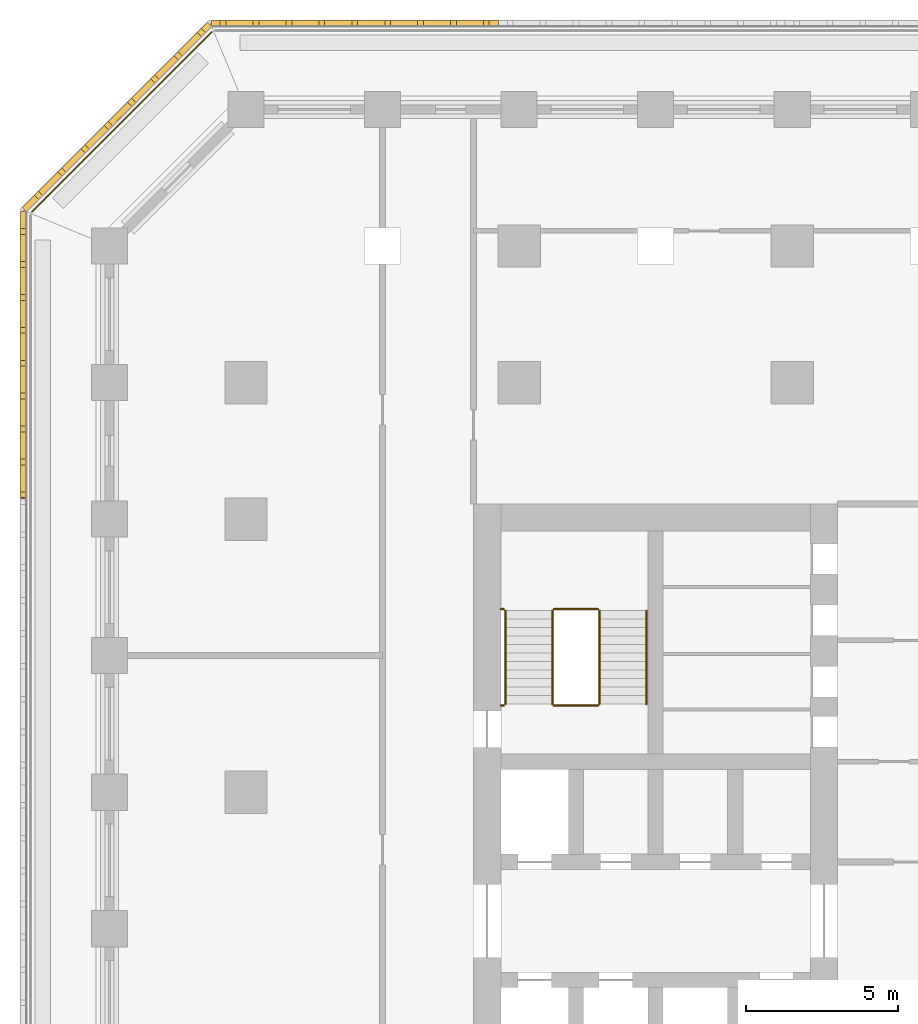
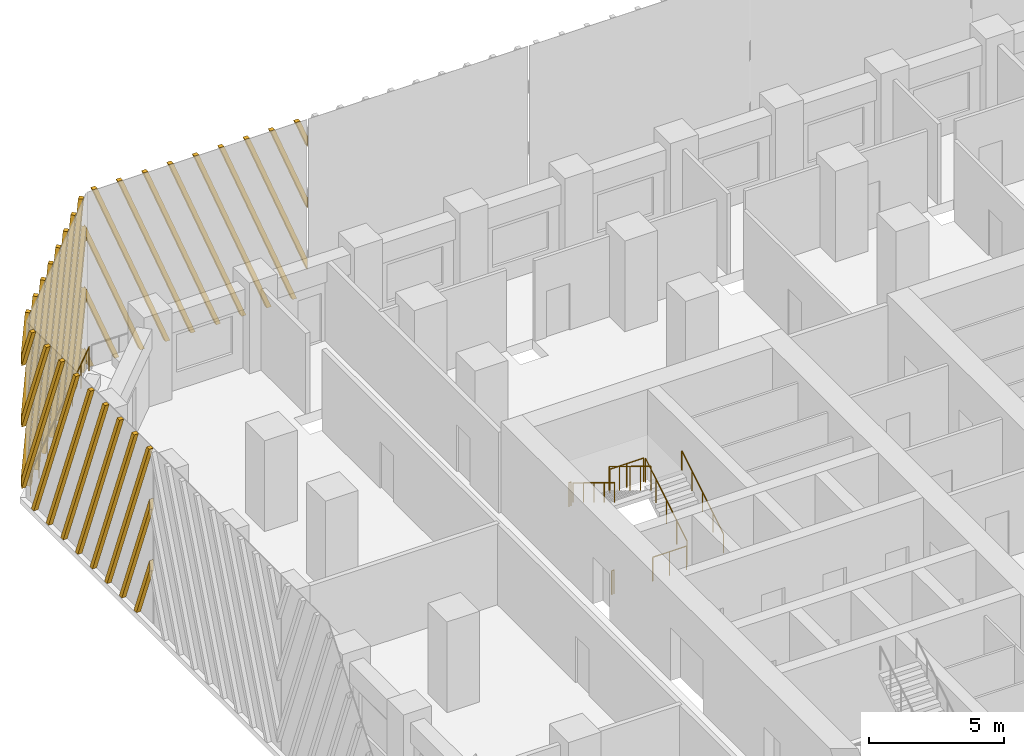
# One storey, part 15 of 19: 9 railings, 3 shading devices.
"""IFC4 building model written with IfcOpenShell, lengths in metres."""

import ifcopenshell
import ifcopenshell.guid

model = None  # the IFC model being written
_history = None  # IfcOwnerHistory: only IFC2X3 demands one
_inside = {}  # id of a spatial element -> (the spatial element, [elements in it])
_under = {}  # id of a project, library or spatial element -> (it, [spatial elements below it])
_declared = {}  # id of a project -> (the project, [libraries it declares])
_typed = {}  # id of a type object -> (the type object, [elements of that type])
_made_of = {}  # id of a material, layer set ... -> (it, [elements and type objects made of it])


def new_model(schema):
    """Start an empty IFC model of exactly this schema.

    Asked for "IFC4X3", IfcOpenShell would pick the latest addendum, in which some entities
    have other attributes; the version numbers below select the first issue.
    IFC2X3 requires an IfcOwnerHistory on every rooted entity: one is made here for all.
    """
    global model, _history
    if schema == "IFC4X3":
        model = ifcopenshell.file(schema_version=(4, 3, 0, 0))
    else:
        model = ifcopenshell.file(schema=schema)
    _inside.clear()
    _under.clear()
    _declared.clear()
    _typed.clear()
    _made_of.clear()
    _history = None
    if model.schema == "IFC2X3":
        org = make("IfcOrganization", Name="unknown")
        user = make(
            "IfcPersonAndOrganization",
            ThePerson=make("IfcPerson", FamilyName="unknown"),
            TheOrganization=org,
        )
        app = make(
            "IfcApplication",
            ApplicationDeveloper=org,
            Version="unknown",
            ApplicationFullName="unknown",
            ApplicationIdentifier="unknown",
        )
        _history = make(
            "IfcOwnerHistory",
            OwningUser=user,
            OwningApplication=app,
            ChangeAction="ADDED",
            CreationDate=0,
        )
    return model


def make(cls, **values):
    """One entity of the class cls with the attributes given. An attribute that is None is left unset."""
    return model.create_entity(
        cls, **{name: value for name, value in values.items() if value is not None}
    )


def rooted(cls, **values):
    """An entity with a GlobalId (a new one), such as an element, a storey or a relation."""
    return make(cls, GlobalId=ifcopenshell.guid.new(), OwnerHistory=_history, **values)


def si_unit(unit_type, name, prefix=None):
    """IfcSIUnit, for example si_unit("LENGTHUNIT", "METRE", prefix="MILLI")."""
    return make("IfcSIUnit", UnitType=unit_type, Prefix=prefix, Name=name)


def assignment(units):
    """IfcUnitAssignment: the units of a project."""
    return None if units is None else make("IfcUnitAssignment", Units=units)


def point(xyz):
    """IfcCartesianPoint."""
    return None if xyz is None else make("IfcCartesianPoint", Coordinates=xyz)


def direction(xyz):
    """IfcDirection."""
    return None if xyz is None else make("IfcDirection", DirectionRatios=xyz)


def frame(location, z_axis=None, x_axis=None):
    """IfcAxis2Placement3D, a coordinate frame: its origin and axes. An axis left out is left unset."""
    return make(
        "IfcAxis2Placement3D",
        Location=point(location),
        Axis=direction(z_axis),
        RefDirection=direction(x_axis),
    )


def frame_2d(location, x_axis=None):
    """IfcAxis2Placement2D, a coordinate frame in the plane: its origin and x axis."""
    return make(
        "IfcAxis2Placement2D", Location=point(location), RefDirection=direction(x_axis)
    )


def origin():
    """The frame at (0, 0, 0) with its axes left unset."""
    return frame((0.0, 0.0, 0.0))


def origin_2d():
    """The frame at (0, 0) in the plane with its x axis left unset."""
    return frame_2d((0.0, 0.0))


def place(relative_to, where):
    """IfcLocalPlacement: puts the frame where relative to a parent placement (None: the world)."""
    return make(
        "IfcLocalPlacement", PlacementRelTo=relative_to, RelativePlacement=where
    )


def context(
    kind, dimensions, precision=None, world=None, true_north=None, identifier=None
):
    """IfcGeometricRepresentationContext, for example the 3D "Model" context."""
    return make(
        "IfcGeometricRepresentationContext",
        ContextIdentifier=identifier,
        ContextType=kind,
        CoordinateSpaceDimension=dimensions,
        Precision=precision,
        WorldCoordinateSystem=world,
        TrueNorth=true_north,
    )


def subcontext(parent, identifier, kind, view, scale=None):
    """IfcGeometricRepresentationSubContext, for example "Body" below "Model"."""
    return make(
        "IfcGeometricRepresentationSubContext",
        ContextIdentifier=identifier,
        ContextType=kind,
        ParentContext=parent,
        TargetScale=scale,
        TargetView=view,
    )


def project(units=None, contexts=None):
    """IfcProject with its units and contexts."""
    return rooted(
        "IfcProject",
        Name="project",
        RepresentationContexts=contexts,
        UnitsInContext=assignment(units),
    )


def spatial(cls, under=None, at=None, **own):
    """A site, building, storey or space (cls), placed at a placement, below another one or the project."""
    s = rooted(cls, ObjectPlacement=at, **own)
    if under is not None:
        _under.setdefault(under.id(), (under, []))[1].append(s)
    return s


def polyline(points):
    """IfcPolyline through the points."""
    return make("IfcPolyline", Points=[point(p) for p in points])


def profile(cls, at=None, kind="AREA", **sizes):
    """A parametric profile (cls). Its sizes go by their IFC names, for example OverallWidth=200.0."""
    return make(cls, ProfileType=kind, Position=at, **sizes)


def circle(**sizes):
    """IfcCircleProfileDef."""
    return profile("IfcCircleProfileDef", **sizes)


def outline(outer, holes=None, kind="AREA"):
    """IfcArbitraryClosedProfileDef: a profile drawn as a closed curve; with holes, ...WithVoids."""
    if holes is None:
        return make("IfcArbitraryClosedProfileDef", ProfileType=kind, OuterCurve=outer)
    return make(
        "IfcArbitraryProfileDefWithVoids",
        ProfileType=kind,
        OuterCurve=outer,
        InnerCurves=holes,
    )


def extrude(swept, where, along, depth):
    """IfcExtrudedAreaSolid: the profile swept, set in the frame where, extruded along a direction by depth."""
    return make(
        "IfcExtrudedAreaSolid",
        SweptArea=swept,
        Position=where,
        ExtrudedDirection=direction(along),
        Depth=depth,
    )


def shape(context_of_items, identifier, shape_type, items):
    """IfcShapeRepresentation: the items that make up one representation, for example the "Body"."""
    return make(
        "IfcShapeRepresentation",
        ContextOfItems=context_of_items,
        RepresentationIdentifier=identifier,
        RepresentationType=shape_type,
        Items=items,
    )


def source(mapping_origin, context_of_items, identifier, shape_type, items):
    """IfcRepresentationMap: a shape defined once, which mapped items show again and again."""
    return make(
        "IfcRepresentationMap",
        MappingOrigin=mapping_origin,
        MappedRepresentation=shape(context_of_items, identifier, shape_type, items),
    )


def transform(
    local_origin,
    x_axis=None,
    y_axis=None,
    z_axis=None,
    scale=None,
    scale2=None,
    scale3=None,
    uniform=True,
):
    """IfcCartesianTransformationOperator3D, or its non-uniform kind. x_axis, y_axis, z_axis: its Axis1, 2, 3."""
    if uniform:
        return make(
            "IfcCartesianTransformationOperator3D",
            Axis1=direction(x_axis),
            Axis2=direction(y_axis),
            LocalOrigin=point(local_origin),
            Scale=scale,
            Axis3=direction(z_axis),
        )
    return make(
        "IfcCartesianTransformationOperator3DnonUniform",
        Axis1=direction(x_axis),
        Axis2=direction(y_axis),
        LocalOrigin=point(local_origin),
        Scale=scale,
        Axis3=direction(z_axis),
        Scale2=scale2,
        Scale3=scale3,
    )


def mapped(mapping_source, mapping_target):
    """IfcMappedItem: shows the shape of a source again, moved by a transform."""
    return make(
        "IfcMappedItem", MappingSource=mapping_source, MappingTarget=mapping_target
    )


def material(Name=None, Category=None):
    """IfcMaterial."""
    return make("IfcMaterial", Name=Name, Category=Category)


def made_of(thing, what):
    """Note that an element or type object is made of a material, layer set ...; save() writes the relation."""
    if what is not None:
        _made_of.setdefault(what.id(), (what, []))[1].append(thing)
    return thing


def type_object(cls, material=None, **own):
    """A type object (cls), such as IfcWallType, which elements share."""
    return made_of(rooted(cls, **own), material)


def element(
    cls,
    number,
    at=None,
    inside=None,
    cuts=None,
    type_object=None,
    material=None,
    context=None,
    identifier="Body",
    shape_type=None,
    held_by="IfcProductDefinitionShape",
    body=None,
    shapes=None,
    **own,
):
    """One element of the class cls, such as IfcWall. Its Tag is "e" and its number.

    at: its placement. inside: the storey or other place that contains it. cuts: it is an
    opening in that element (IfcRelVoidsElement). A single representation is given by context,
    identifier, shape_type and body (its items); several are given by shapes. held_by: the class
    of the entity that holds the representations. save() writes the other relations.
    """
    e = rooted(cls, Tag="e%d" % number, ObjectPlacement=at, **own)
    if body is not None:
        shapes = [shape(context, identifier, shape_type, body)]
    if shapes is not None:
        e.Representation = make(held_by, Representations=shapes)
    if inside is not None:
        _inside.setdefault(inside.id(), (inside, []))[1].append(e)
    if cuts is not None:
        rooted(
            "IfcRelVoidsElement", RelatingBuildingElement=cuts, RelatedOpeningElement=e
        )
    if type_object is not None:
        _typed.setdefault(type_object.id(), (type_object, []))[1].append(e)
    return made_of(e, material)


def aggregate(whole, parts):
    """IfcRelAggregates: a whole, such as a stair, and the parts it consists of."""
    return rooted("IfcRelAggregates", RelatingObject=whole, RelatedObjects=parts)


def save(model, path):
    """Write the relations noted so far, then the file.

    IfcRelAggregates (storeys below a building ...), IfcRelContainedInSpatialStructure (elements
    in a storey), IfcRelDefinesByType, IfcRelAssociatesMaterial and IfcRelDeclares: one each for
    every whole, place, type object, material and project.
    """
    for whole, parts in _under.values():
        aggregate(whole, parts)
    for where, things in _inside.values():
        rooted(
            "IfcRelContainedInSpatialStructure",
            RelatedElements=things,
            RelatingStructure=where,
        )
    for kind, things in _typed.values():
        rooted("IfcRelDefinesByType", RelatedObjects=things, RelatingType=kind)
    for what, things in _made_of.values():
        rooted("IfcRelAssociatesMaterial", RelatedObjects=things, RelatingMaterial=what)
    for by, libraries in _declared.values():
        rooted("IfcRelDeclares", RelatingContext=by, RelatedDefinitions=libraries)
    model.write(path)


model = new_model("IFC4")

# Units and contexts
model_context = context("Model", 3, precision=1e-05, world=origin(), true_north=direction((0.0, 1.0)))
body_context = subcontext(model_context, "Body", "Model", "MODEL_VIEW")
ifc_project = project(units=[si_unit("LENGTHUNIT", "METRE"), si_unit("AREAUNIT", "SQUARE_METRE"), si_unit("VOLUMEUNIT", "CUBIC_METRE"), si_unit("PLANEANGLEUNIT", "RADIAN"), si_unit("MASSUNIT", "GRAM", prefix="KILO")], contexts=[model_context])

# Site, building, storey
site_placement = place(None, origin())
site = spatial("IfcSite", under=ifc_project, at=site_placement, CompositionType="ELEMENT")
building_placement = place(site_placement, origin())
building = spatial("IfcBuilding", under=site, at=building_placement, Name="Corbel Stack Research Tower", CompositionType="ELEMENT")
storey_placement = place(building_placement, frame((0.0, 0.0, 82.0)))
storey = spatial("IfcBuildingStorey", under=building, at=storey_placement, Name="L18", CompositionType="ELEMENT", Elevation=82.0)

# Railings
ifc_material_1 = material(Name="Steel S355", Category="steel")
railing_type_1 = type_object("IfcRailingType", Name="Stair guard 1100", PredefinedType="GUARDRAIL", material=ifc_material_1)
railing_1_placement = place(storey_placement, frame((-6.35009765625, 11.89990234375, 0.1708984375)))
element("IfcRailing", 1, at=railing_1_placement, inside=storey, type_object=railing_type_1, Name="L18 ST-W2 stair guard 1", PredefinedType="GUARDRAIL", context=body_context, shape_type="SweptSolid", body=[
    extrude(circle(Radius=0.02392578125, at=origin_2d()), frame((0.0, 0.0, 1.076171875), z_axis=(0.0, 0.853666305674, 0.52082035152), x_axis=(-1.0, 0.0, 0.0)), (0.0, 0.0, 1.0), 3.608154296875),
    extrude(circle(Radius=0.02099609375, at=origin_2d()), origin(), (0.0, 0.0, 1.0), 1.052001953125),
    extrude(circle(Radius=0.02099609375, at=origin_2d()), frame((0.0, 0.77001953125, 0.4697265625)), (0.0, 0.0, 1.0), 1.052001953125),
    extrude(circle(Radius=0.02099609375, at=origin_2d()), frame((0.0, 1.5400390625, 0.939453125)), (0.0, 0.0, 1.0), 1.052001953125),
    extrude(circle(Radius=0.02099609375, at=origin_2d()), frame((0.0, 2.31005859375, 1.409423828125)), (0.0, 0.0, 1.0), 1.052001953125),
    extrude(circle(Radius=0.02099609375, at=origin_2d()), frame((0.0, 3.080078125, 1.879150390625)), (0.0, 0.0, 1.0), 1.052001953125),
])
railing_2_placement = place(storey_placement, frame((-6.39990234375, 15.030029296875, 2.050048828125)))
element("IfcRailing", 2, at=railing_2_placement, inside=storey, type_object=railing_type_1, Name="L18 ST-W2 stair guard 2", PredefinedType="GUARDRAIL", context=body_context, shape_type="SweptSolid", body=[
    extrude(circle(Radius=0.02392578125, at=origin_2d()), frame((0.0, 0.0, 1.076171875), z_axis=(-1.0, 0.0, 0.0), x_axis=(0.0, -1.0, 0.0)), (0.0, 0.0, 1.0), 1.4501953125),
    extrude(circle(Radius=0.02099609375, at=origin_2d()), origin(), (0.0, 0.0, 1.0), 1.052001953125),
    extrude(circle(Radius=0.02099609375, at=origin_2d()), frame((-0.72509765625, 0.0, 0.0)), (0.0, 0.0, 1.0), 1.052001953125),
    extrude(circle(Radius=0.02099609375, at=origin_2d()), frame((-1.4501953125, 0.0, 0.0)), (0.0, 0.0, 1.0), 1.052001953125),
])
railing_3_placement = place(storey_placement, frame((-9.5, 15.030029296875, 2.050048828125)))
element("IfcRailing", 3, at=railing_3_placement, inside=storey, type_object=railing_type_1, Name="L18 ST-W2 stair guard 3", PredefinedType="GUARDRAIL", context=body_context, shape_type="SweptSolid", body=[
    extrude(circle(Radius=0.02392578125, at=origin_2d()), frame((0.0, 0.0, 1.076171875), z_axis=(-1.0, 0.0, 0.0), x_axis=(0.0, -1.0, 0.0)), (0.0, 0.0, 1.0), 0.10009765625),
    extrude(circle(Radius=0.02099609375, at=origin_2d()), origin(), (0.0, 0.0, 1.0), 1.052001953125),
    extrude(circle(Radius=0.02099609375, at=origin_2d()), frame((-0.10009765625, 0.0, 0.0)), (0.0, 0.0, 1.0), 1.052001953125),
])
railing_4_placement = place(storey_placement, frame((-7.89990234375, 14.97998046875, 2.220947265625)))
element("IfcRailing", 4, at=railing_4_placement, inside=storey, type_object=railing_type_1, Name="L18 ST-W2 stair guard 4", PredefinedType="GUARDRAIL", context=body_context, shape_type="SweptSolid", body=[
    extrude(circle(Radius=0.02392578125, at=origin_2d()), frame((0.0, 0.0, 1.076171875), z_axis=(0.0, -0.853666305674, 0.52082035152), x_axis=(1.0, 0.0, 0.0)), (0.0, 0.0, 1.0), 3.608154296875),
    extrude(circle(Radius=0.02099609375, at=origin_2d()), origin(), (0.0, 0.0, 1.0), 1.052001953125),
    extrude(circle(Radius=0.02099609375, at=origin_2d()), frame((0.0, -0.77001953125, 0.4697265625)), (0.0, 0.0, 1.0), 1.052001953125),
    extrude(circle(Radius=0.02099609375, at=origin_2d()), frame((0.0, -1.5400390625, 0.939453125)), (0.0, 0.0, 1.0), 1.052001953125),
    extrude(circle(Radius=0.02099609375, at=origin_2d()), frame((0.0, -2.31005859375, 1.409423828125)), (0.0, 0.0, 1.0), 1.052001953125),
    extrude(circle(Radius=0.02099609375, at=origin_2d()), frame((0.0, -3.080078125, 1.879150390625)), (0.0, 0.0, 1.0), 1.052001953125),
])
railing_5_placement = place(storey_placement, frame((-6.39990234375, 11.85009765625, 0.0)))
element("IfcRailing", 5, at=railing_5_placement, inside=storey, type_object=railing_type_1, Name="L18 ST-W2 stair guard 5", PredefinedType="GUARDRAIL", context=body_context, shape_type="SweptSolid", body=[
    extrude(circle(Radius=0.02392578125, at=origin_2d()), frame((0.0, 0.0, 1.076171875), z_axis=(-1.0, 0.0, 0.0), x_axis=(0.0, -1.0, 0.0)), (0.0, 0.0, 1.0), 1.4501953125),
    extrude(circle(Radius=0.02099609375, at=origin_2d()), origin(), (0.0, 0.0, 1.0), 1.052001953125),
    extrude(circle(Radius=0.02099609375, at=origin_2d()), frame((-0.72509765625, 0.0, 0.0)), (0.0, 0.0, 1.0), 1.052001953125),
    extrude(circle(Radius=0.02099609375, at=origin_2d()), frame((-1.4501953125, 0.0, 0.0)), (0.0, 0.0, 1.0), 1.052001953125),
])
railing_6_placement = place(storey_placement, frame((-9.5, 11.85009765625, 0.0)))
element("IfcRailing", 6, at=railing_6_placement, inside=storey, type_object=railing_type_1, Name="L18 ST-W2 stair guard 6", PredefinedType="GUARDRAIL", context=body_context, shape_type="SweptSolid", body=[
    extrude(circle(Radius=0.02392578125, at=origin_2d()), frame((0.0, 0.0, 1.076171875), z_axis=(-1.0, 0.0, 0.0), x_axis=(0.0, -1.0, 0.0)), (0.0, 0.0, 1.0), 0.10009765625),
    extrude(circle(Radius=0.02099609375, at=origin_2d()), origin(), (0.0, 0.0, 1.0), 1.052001953125),
    extrude(circle(Radius=0.02099609375, at=origin_2d()), frame((-0.10009765625, 0.0, 0.0)), (0.0, 0.0, 1.0), 1.052001953125),
])
ifc_material_2 = material(Name="Steel S355", Category="steel")
railing_type_2 = type_object("IfcRailingType", Name="Stair handrail 900", PredefinedType="HANDRAIL", material=ifc_material_2)
railing_7_placement = place(storey_placement, frame((-4.800048828125, 11.89990234375, 0.1708984375)))
element("IfcRailing", 7, at=railing_7_placement, inside=storey, type_object=railing_type_2, Name="L18 ST-W2 stair handrail 1", PredefinedType="HANDRAIL", context=body_context, shape_type="SweptSolid", body=[
    extrude(circle(Radius=0.02392578125, at=origin_2d()), frame((0.0, 0.0, 0.8759765625), z_axis=(0.0, 0.853666305674, 0.52082035152), x_axis=(-1.0, 0.0, 0.0)), (0.0, 0.0, 1.0), 3.608154296875),
    extrude(circle(Radius=0.02099609375, at=origin_2d()), origin(), (0.0, 0.0, 1.0), 0.851806640625),
    extrude(circle(Radius=0.02099609375, at=origin_2d()), frame((0.0, 0.77001953125, 0.4697265625)), (0.0, 0.0, 1.0), 0.851806640625),
    extrude(circle(Radius=0.02099609375, at=origin_2d()), frame((0.0, 1.5400390625, 0.939453125)), (0.0, 0.0, 1.0), 0.851806640625),
    extrude(circle(Radius=0.02099609375, at=origin_2d()), frame((0.0, 2.31005859375, 1.409423828125)), (0.0, 0.0, 1.0), 0.851806640625),
    extrude(circle(Radius=0.02099609375, at=origin_2d()), frame((0.0, 3.080078125, 1.879150390625)), (0.0, 0.0, 1.0), 0.851806640625),
])
railing_8_placement = place(storey_placement, frame((-9.449951171875, 14.97998046875, 2.220947265625)))
element("IfcRailing", 8, at=railing_8_placement, inside=storey, type_object=railing_type_2, Name="L18 ST-W2 stair handrail 2", PredefinedType="HANDRAIL", context=body_context, shape_type="SweptSolid", body=[
    extrude(circle(Radius=0.02392578125, at=origin_2d()), frame((0.0, 0.0, 0.8759765625), z_axis=(0.0, -0.853666305674, 0.52082035152), x_axis=(1.0, 0.0, 0.0)), (0.0, 0.0, 1.0), 3.608154296875),
    extrude(circle(Radius=0.02099609375, at=origin_2d()), origin(), (0.0, 0.0, 1.0), 0.851806640625),
    extrude(circle(Radius=0.02099609375, at=origin_2d()), frame((0.0, -0.77001953125, 0.4697265625)), (0.0, 0.0, 1.0), 0.851806640625),
    extrude(circle(Radius=0.02099609375, at=origin_2d()), frame((0.0, -1.5400390625, 0.939453125)), (0.0, 0.0, 1.0), 0.851806640625),
    extrude(circle(Radius=0.02099609375, at=origin_2d()), frame((0.0, -2.31005859375, 1.409423828125)), (0.0, 0.0, 1.0), 0.851806640625),
    extrude(circle(Radius=0.02099609375, at=origin_2d()), frame((0.0, -3.080078125, 1.879150390625)), (0.0, 0.0, 1.0), 0.851806640625),
])
ifc_material_3 = material(Name="Powder-coated steel guard", Category="steel")
railing_type_3 = type_object("IfcRailingType", Name="Steel and glass guard 1100", PredefinedType="GUARDRAIL", material=ifc_material_3)
railing_9_placement = place(storey_placement, frame((-19.127685546875, 34.04931640625, 0.0)))
element("IfcRailing", 9, at=railing_9_placement, inside=storey, type_object=railing_type_3, Name="Loggia guard L18 NW", PredefinedType="GUARDRAIL", context=body_context, shape_type="SweptSolid", body=[
    extrude(circle(Radius=0.02392578125, at=origin_2d()), frame((0.0, 0.0, 1.076171875), z_axis=(-0.707106781187, -0.707106781187, 0.0), x_axis=(0.707106781187, -0.707106781187, 0.0)), (0.0, 0.0, 1.0), 8.37451171875),
    extrude(circle(Radius=0.02099609375, at=origin_2d()), origin(), (0.0, 0.0, 1.0), 1.052001953125),
    extrude(circle(Radius=0.02099609375, at=origin_2d()), frame((-0.845947265625, -0.845947265625, 0.0)), (0.0, 0.0, 1.0), 1.052001953125),
    extrude(circle(Radius=0.02099609375, at=origin_2d()), frame((-1.69189453125, -1.69189453125, 0.0)), (0.0, 0.0, 1.0), 1.052001953125),
    extrude(circle(Radius=0.02099609375, at=origin_2d()), frame((-2.537841796875, -2.537841796875, 0.0)), (0.0, 0.0, 1.0), 1.052001953125),
    extrude(circle(Radius=0.02099609375, at=origin_2d()), frame((-3.3837890625, -3.3837890625, 0.0)), (0.0, 0.0, 1.0), 1.052001953125),
    extrude(circle(Radius=0.02099609375, at=origin_2d()), frame((-4.229736328125, -4.229736328125, 0.0)), (0.0, 0.0, 1.0), 1.052001953125),
    extrude(circle(Radius=0.02099609375, at=origin_2d()), frame((-5.07568359375, -5.07568359375, 0.0)), (0.0, 0.0, 1.0), 1.052001953125),
    extrude(circle(Radius=0.02099609375, at=origin_2d()), frame((-5.921630859375, -5.921630859375, 0.0)), (0.0, 0.0, 1.0), 1.052001953125),
])

# Shading devices
ifc_material_4 = material(Name="Precast terracotta", Category="masonry")
shading_device_type = type_object("IfcShadingDeviceType", Name="Terracotta screen panel", PredefinedType="USERDEFINED", material=ifc_material_4)
shared_shape_1 = source(origin(), body_context, "Body", "SweptSolid", [
    extrude(outline(polyline([(0.48828125, 7.949951171875), (0.298095703125, 7.949951171875), (0.0, 7.1865234375), (0.0, 6.699951171875), (0.48828125, 7.949951171875)])), frame((0.0, 0.0, 0.0), z_axis=(0.0, -1.0, 0.0), x_axis=(1.0, 0.0, 0.0)), (0.0, 0.0, 1.0), 0.179931640625),
    extrude(outline(polyline([(1.572998046875, 7.949951171875), (1.3828125, 7.949951171875), (0.0, 4.4091796875), (0.0, 3.922607421875), (1.572998046875, 7.949951171875)])), frame((0.0, 0.0, 0.0), z_axis=(0.0, -1.0, 0.0), x_axis=(1.0, 0.0, 0.0)), (0.0, 0.0, 1.0), 0.179931640625),
    extrude(outline(polyline([(2.657470703125, 7.949951171875), (2.467529296875, 7.949951171875), (0.0, 1.6318359375), (0.0, 1.1455078125), (2.657470703125, 7.949951171875)])), frame((0.0, 0.0, 0.0), z_axis=(0.0, -1.0, 0.0), x_axis=(1.0, 0.0, 0.0)), (0.0, 0.0, 1.0), 0.179931640625),
    extrude(outline(polyline([(0.63720703125, 0.0), (3.7421875, 7.949951171875), (3.55224609375, 7.949951171875), (0.447265625, 0.0), (0.63720703125, 0.0)])), frame((0.0, 0.0, 0.0), z_axis=(0.0, -1.0, 0.0), x_axis=(1.0, 0.0, 0.0)), (0.0, 0.0, 1.0), 0.179931640625),
    extrude(outline(polyline([(1.721923828125, 0.0), (4.826904296875, 7.949951171875), (4.636962890625, 7.949951171875), (1.531982421875, 0.0), (1.721923828125, 0.0)])), frame((0.0, 0.0, 0.0), z_axis=(0.0, -1.0, 0.0), x_axis=(1.0, 0.0, 0.0)), (0.0, 0.0, 1.0), 0.179931640625),
    extrude(outline(polyline([(2.806640625, 0.0), (5.91162109375, 7.949951171875), (5.721435546875, 7.949951171875), (2.61669921875, 0.0), (2.806640625, 0.0)])), frame((0.0, 0.0, 0.0), z_axis=(0.0, -1.0, 0.0), x_axis=(1.0, 0.0, 0.0)), (0.0, 0.0, 1.0), 0.179931640625),
    extrude(outline(polyline([(3.891357421875, 0.0), (6.99609375, 7.949951171875), (6.80615234375, 7.949951171875), (3.701416015625, 0.0), (3.891357421875, 0.0)])), frame((0.0, 0.0, 0.0), z_axis=(0.0, -1.0, 0.0), x_axis=(1.0, 0.0, 0.0)), (0.0, 0.0, 1.0), 0.179931640625),
    extrude(outline(polyline([(4.97607421875, 0.0), (8.080810546875, 7.949951171875), (7.890869140625, 7.949951171875), (4.785888671875, 0.0), (4.97607421875, 0.0)])), frame((0.0, 0.0, 0.0), z_axis=(0.0, -1.0, 0.0), x_axis=(1.0, 0.0, 0.0)), (0.0, 0.0, 1.0), 0.179931640625),
    extrude(outline(polyline([(6.060791015625, 0.0), (9.16552734375, 7.949951171875), (8.9755859375, 7.949951171875), (5.87060546875, 0.0), (6.060791015625, 0.0)])), frame((0.0, 0.0, 0.0), z_axis=(0.0, -1.0, 0.0), x_axis=(1.0, 0.0, 0.0)), (0.0, 0.0, 1.0), 0.179931640625),
    extrude(outline(polyline([(7.145263671875, 0.0), (9.45556640625, 5.91552734375), (9.45556640625, 6.402099609375), (6.955322265625, 0.0), (7.145263671875, 0.0)])), frame((0.0, 0.0, 0.0), z_axis=(0.0, -1.0, 0.0), x_axis=(1.0, 0.0, 0.0)), (0.0, 0.0, 1.0), 0.179931640625),
    extrude(outline(polyline([(8.22998046875, 0.0), (9.45556640625, 3.13818359375), (9.45556640625, 3.624755859375), (8.0400390625, 0.0), (8.22998046875, 0.0)])), frame((0.0, 0.0, 0.0), z_axis=(0.0, -1.0, 0.0), x_axis=(1.0, 0.0, 0.0)), (0.0, 0.0, 1.0), 0.179931640625),
    extrude(outline(polyline([(9.314697265625, 0.0), (9.45556640625, 0.361083984375), (9.45556640625, 0.847412109375), (9.124755859375, 0.0), (9.314697265625, 0.0)])), frame((0.0, 0.0, 0.0), z_axis=(0.0, -1.0, 0.0), x_axis=(1.0, 0.0, 0.0)), (0.0, 0.0, 1.0), 0.179931640625),
])
shading_device_1_placement = place(storey_placement, frame((-9.68359375, 34.25, 0.0), z_axis=(0.0, 0.0, 1.0), x_axis=(-1.0, 0.0, 0.0)))
element("IfcShadingDevice", 10, at=shading_device_1_placement, inside=storey, type_object=shading_device_type, Name="Terracotta screen L18 N5", ObjectType="SCREEN", PredefinedType="USERDEFINED", context=body_context, shape_type="MappedRepresentation", body=[
    mapped(shared_shape_1, transform((0.0, 0.0, 0.0))),
])
shared_shape_2 = source(origin(), body_context, "Body", "SweptSolid", [
    extrude(outline(polyline([(0.3310546875, 0.0), (0.0, 0.847412109375), (0.0, 0.361083984375), (0.14111328125, 0.0), (0.3310546875, 0.0)])), frame((0.0, 0.0, 0.0), z_axis=(0.0, -1.0, 0.0), x_axis=(1.0, 0.0, 0.0)), (0.0, 0.0, 1.0), 0.179931640625),
    extrude(outline(polyline([(1.41552734375, 0.0), (0.0, 3.624755859375), (0.0, 3.13818359375), (1.2255859375, 0.0), (1.41552734375, 0.0)])), frame((0.0, 0.0, 0.0), z_axis=(0.0, -1.0, 0.0), x_axis=(1.0, 0.0, 0.0)), (0.0, 0.0, 1.0), 0.179931640625),
    extrude(outline(polyline([(2.500244140625, 0.0), (0.0, 6.402099609375), (0.0, 5.91552734375), (2.310302734375, 0.0), (2.500244140625, 0.0)])), frame((0.0, 0.0, 0.0), z_axis=(0.0, -1.0, 0.0), x_axis=(1.0, 0.0, 0.0)), (0.0, 0.0, 1.0), 0.179931640625),
    extrude(outline(polyline([(3.5849609375, 0.0), (0.47998046875, 7.949951171875), (0.2900390625, 7.949951171875), (3.39501953125, 0.0), (3.5849609375, 0.0)])), frame((0.0, 0.0, 0.0), z_axis=(0.0, -1.0, 0.0), x_axis=(1.0, 0.0, 0.0)), (0.0, 0.0, 1.0), 0.179931640625),
    extrude(outline(polyline([(4.669677734375, 0.0), (1.564697265625, 7.949951171875), (1.374755859375, 7.949951171875), (4.4794921875, 0.0), (4.669677734375, 0.0)])), frame((0.0, 0.0, 0.0), z_axis=(0.0, -1.0, 0.0), x_axis=(1.0, 0.0, 0.0)), (0.0, 0.0, 1.0), 0.179931640625),
    extrude(outline(polyline([(5.75439453125, 0.0), (2.6494140625, 7.949951171875), (2.45947265625, 7.949951171875), (5.564208984375, 0.0), (5.75439453125, 0.0)])), frame((0.0, 0.0, 0.0), z_axis=(0.0, -1.0, 0.0), x_axis=(1.0, 0.0, 0.0)), (0.0, 0.0, 1.0), 0.179931640625),
    extrude(outline(polyline([(6.839111328125, 0.0), (3.734130859375, 7.949951171875), (3.544189453125, 7.949951171875), (6.64892578125, 0.0), (6.839111328125, 0.0)])), frame((0.0, 0.0, 0.0), z_axis=(0.0, -1.0, 0.0), x_axis=(1.0, 0.0, 0.0)), (0.0, 0.0, 1.0), 0.179931640625),
    extrude(outline(polyline([(7.923583984375, 0.0), (4.81884765625, 7.949951171875), (4.62890625, 7.949951171875), (7.733642578125, 0.0), (7.923583984375, 0.0)])), frame((0.0, 0.0, 0.0), z_axis=(0.0, -1.0, 0.0), x_axis=(1.0, 0.0, 0.0)), (0.0, 0.0, 1.0), 0.179931640625),
    extrude(outline(polyline([(5.903564453125, 7.949951171875), (5.71337890625, 7.949951171875), (8.64208984375, 0.451171875), (8.64208984375, 0.9375), (5.903564453125, 7.949951171875)])), frame((0.0, 0.0, 0.0), z_axis=(0.0, -1.0, 0.0), x_axis=(1.0, 0.0, 0.0)), (0.0, 0.0, 1.0), 0.179931640625),
    extrude(outline(polyline([(6.988037109375, 7.949951171875), (6.798095703125, 7.949951171875), (8.64208984375, 3.228515625), (8.64208984375, 3.71484375), (6.988037109375, 7.949951171875)])), frame((0.0, 0.0, 0.0), z_axis=(0.0, -1.0, 0.0), x_axis=(1.0, 0.0, 0.0)), (0.0, 0.0, 1.0), 0.179931640625),
    extrude(outline(polyline([(8.07275390625, 7.949951171875), (7.8828125, 7.949951171875), (8.64208984375, 6.005615234375), (8.64208984375, 6.4921875), (8.07275390625, 7.949951171875)])), frame((0.0, 0.0, 0.0), z_axis=(0.0, -1.0, 0.0), x_axis=(1.0, 0.0, 0.0)), (0.0, 0.0, 1.0), 0.179931640625),
])
shading_device_2_placement = place(storey_placement, frame((-19.13916015625, 34.25, 0.0), z_axis=(0.0, 0.0, 1.0), x_axis=(-0.707106781187, -0.707106781187, 0.0)))
element("IfcShadingDevice", 11, at=shading_device_2_placement, inside=storey, type_object=shading_device_type, Name="Terracotta screen L18 NW1", ObjectType="SCREEN", PredefinedType="USERDEFINED", context=body_context, shape_type="MappedRepresentation", body=[
    mapped(shared_shape_2, transform((0.0, 0.0, 0.0))),
])
shared_shape_3 = source(origin(), body_context, "Body", "SweptSolid", [
    extrude(outline(polyline([(0.759521484375, 7.949951171875), (0.5693359375, 7.949951171875), (0.0, 6.4921875), (0.0, 6.005615234375), (0.759521484375, 7.949951171875)])), frame((0.0, 0.0, 0.0), z_axis=(0.0, -1.0, 0.0), x_axis=(1.0, 0.0, 0.0)), (0.0, 0.0, 1.0), 0.179931640625),
    extrude(outline(polyline([(1.843994140625, 7.949951171875), (1.654052734375, 7.949951171875), (0.0, 3.71484375), (0.0, 3.228515625), (1.843994140625, 7.949951171875)])), frame((0.0, 0.0, 0.0), z_axis=(0.0, -1.0, 0.0), x_axis=(1.0, 0.0, 0.0)), (0.0, 0.0, 1.0), 0.179931640625),
    extrude(outline(polyline([(2.9287109375, 7.949951171875), (2.73876953125, 7.949951171875), (0.0, 0.9375), (0.0, 0.451171875), (2.9287109375, 7.949951171875)])), frame((0.0, 0.0, 0.0), z_axis=(0.0, -1.0, 0.0), x_axis=(1.0, 0.0, 0.0)), (0.0, 0.0, 1.0), 0.179931640625),
    extrude(outline(polyline([(0.908447265625, 0.0), (4.013427734375, 7.949951171875), (3.823486328125, 7.949951171875), (0.718505859375, 0.0), (0.908447265625, 0.0)])), frame((0.0, 0.0, 0.0), z_axis=(0.0, -1.0, 0.0), x_axis=(1.0, 0.0, 0.0)), (0.0, 0.0, 1.0), 0.179931640625),
    extrude(outline(polyline([(1.9931640625, 0.0), (5.097900390625, 7.949951171875), (4.907958984375, 7.949951171875), (1.80322265625, 0.0), (1.9931640625, 0.0)])), frame((0.0, 0.0, 0.0), z_axis=(0.0, -1.0, 0.0), x_axis=(1.0, 0.0, 0.0)), (0.0, 0.0, 1.0), 0.179931640625),
    extrude(outline(polyline([(3.077880859375, 0.0), (6.1826171875, 7.949951171875), (5.99267578125, 7.949951171875), (2.8876953125, 0.0), (3.077880859375, 0.0)])), frame((0.0, 0.0, 0.0), z_axis=(0.0, -1.0, 0.0), x_axis=(1.0, 0.0, 0.0)), (0.0, 0.0, 1.0), 0.179931640625),
    extrude(outline(polyline([(4.16259765625, 0.0), (7.267333984375, 7.949951171875), (7.077392578125, 7.949951171875), (3.972412109375, 0.0), (4.16259765625, 0.0)])), frame((0.0, 0.0, 0.0), z_axis=(0.0, -1.0, 0.0), x_axis=(1.0, 0.0, 0.0)), (0.0, 0.0, 1.0), 0.179931640625),
    extrude(outline(polyline([(5.247314453125, 0.0), (8.35205078125, 7.949951171875), (8.162109375, 7.949951171875), (5.05712890625, 0.0), (5.247314453125, 0.0)])), frame((0.0, 0.0, 0.0), z_axis=(0.0, -1.0, 0.0), x_axis=(1.0, 0.0, 0.0)), (0.0, 0.0, 1.0), 0.179931640625),
    extrude(outline(polyline([(6.331787109375, 0.0), (9.436767578125, 7.949951171875), (9.24658203125, 7.949951171875), (6.141845703125, 0.0), (6.331787109375, 0.0)])), frame((0.0, 0.0, 0.0), z_axis=(0.0, -1.0, 0.0), x_axis=(1.0, 0.0, 0.0)), (0.0, 0.0, 1.0), 0.179931640625),
    extrude(outline(polyline([(7.41650390625, 0.0), (9.45556640625, 5.22119140625), (9.45556640625, 5.707763671875), (7.2265625, 0.0), (7.41650390625, 0.0)])), frame((0.0, 0.0, 0.0), z_axis=(0.0, -1.0, 0.0), x_axis=(1.0, 0.0, 0.0)), (0.0, 0.0, 1.0), 0.179931640625),
    extrude(outline(polyline([(8.501220703125, 0.0), (9.45556640625, 2.44384765625), (9.45556640625, 2.930419921875), (8.311279296875, 0.0), (8.501220703125, 0.0)])), frame((0.0, 0.0, 0.0), z_axis=(0.0, -1.0, 0.0), x_axis=(1.0, 0.0, 0.0)), (0.0, 0.0, 1.0), 0.179931640625),
])
shading_device_3_placement = place(storey_placement, frame((-25.25, 28.13916015625, 0.0), z_axis=(0.0, 0.0, 1.0), x_axis=(0.0, -1.0, 0.0)))
element("IfcShadingDevice", 12, at=shading_device_3_placement, inside=storey, type_object=shading_device_type, Name="Terracotta screen L18 W1", ObjectType="SCREEN", PredefinedType="USERDEFINED", context=body_context, shape_type="MappedRepresentation", body=[
    mapped(shared_shape_3, transform((0.0, 0.0, 0.0))),
])

save(model, "model.ifc")
